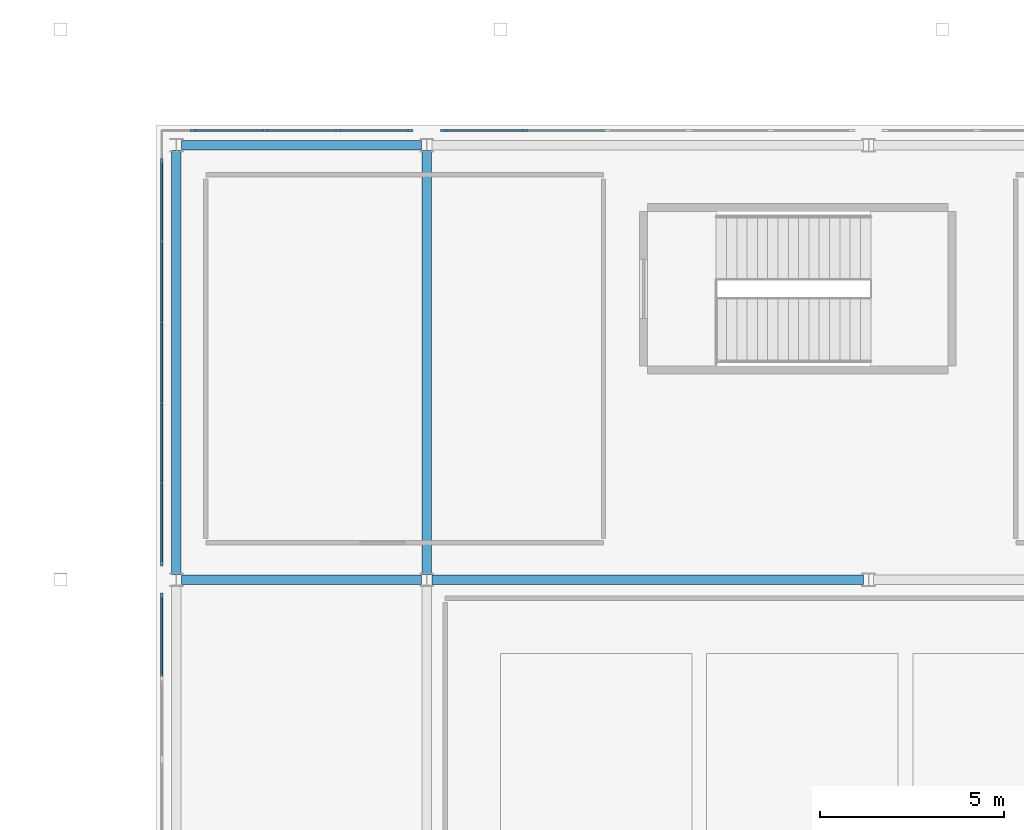
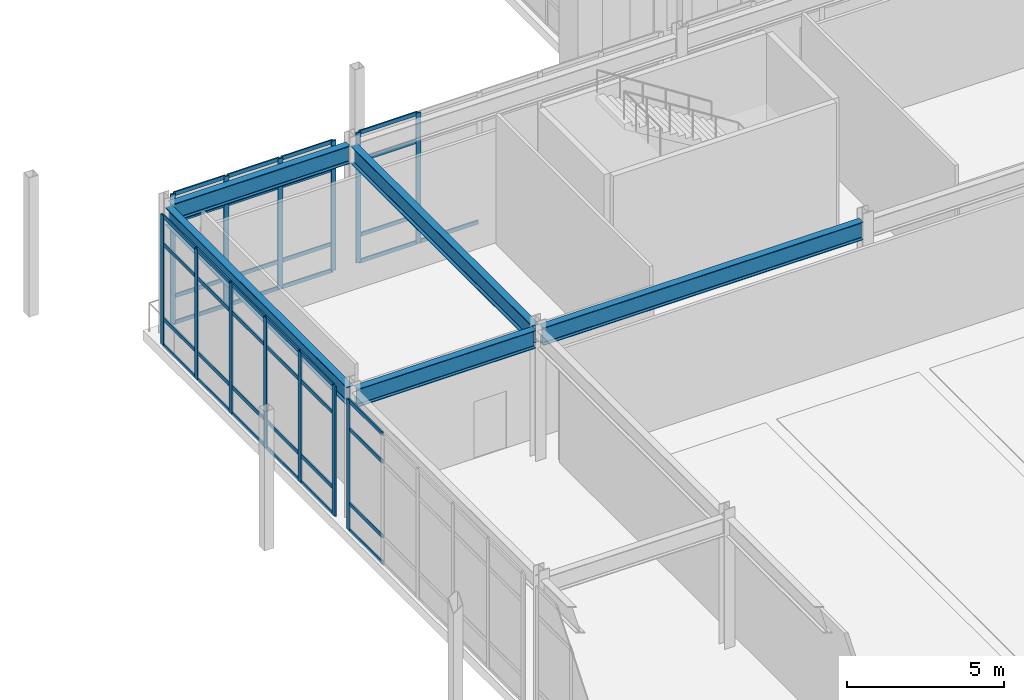
# One storey, part 74 of 159: 54 members, 5 beams, 4 elements without a shape of their own.
"""IFC4 building model written with IfcOpenShell, lengths in metres."""

from ifc_helpers import new_model, si_unit, derived_unit, direction, frame, origin, origin_2d, place, context, subcontext, project, spatial, rectangle, i_section, extrude, material, layer, layer_set, material_profile, profile_set, type_object, element, aggregate, save


model = new_model("IFC4")

# Units and contexts
model_context = context("Model", 3, precision=1e-05, world=origin(), true_north=direction((0.0, 1.0)))
body_context = subcontext(model_context, "Body", "Model", "MODEL_VIEW")
ifc_project = project(units=[si_unit("LENGTHUNIT", "METRE"), si_unit("AREAUNIT", "SQUARE_METRE"), si_unit("VOLUMEUNIT", "CUBIC_METRE"), si_unit("PLANEANGLEUNIT", "RADIAN"), si_unit("MASSUNIT", "GRAM", prefix="KILO"), derived_unit("THERMALTRANSMITTANCEUNIT", [(si_unit("MASSUNIT", "GRAM", prefix="KILO"), 1), (si_unit("TIMEUNIT", "SECOND"), -3), (si_unit("THERMODYNAMICTEMPERATUREUNIT", "KELVIN"), -1)])], contexts=[model_context])

# Site, building, storey
site_placement = place(None, origin())
site = spatial("IfcSite", under=ifc_project, at=site_placement, CompositionType="ELEMENT")
building_placement = place(site_placement, origin())
building = spatial("IfcBuilding", under=site, at=building_placement, Name="Valcora Ridge Arena", CompositionType="ELEMENT")
storey_placement = place(building_placement, frame((0.0, 0.0, 6.0)))
storey = spatial("IfcBuildingStorey", under=building, at=storey_placement, Name="L01", CompositionType="ELEMENT", Elevation=6.0)

# Beams
ifc_material_1 = material(Name="Steel ASTM A572 Grade 50", Category="steel")
ifc_material_profile_1 = material_profile(ifc_material_1, i_section(OverallWidth=0.256103515625, OverallDepth=0.693115234375, WebThickness=0.014404296875, FlangeThickness=0.023681640625, FilletRadius=0.02001953125, at=origin_2d()), Name="W27X114")
ifc_profile_set_1 = profile_set([ifc_material_profile_1], Name="Steel ASTM A572 Grade 50")
beam_type_1 = type_object("IfcBeamType", Name="TY-BEAM-G-W27X114-X", PredefinedType="BEAM", material=ifc_profile_set_1)
beam_1_placement = place(storey_placement, frame((137.340087890625, 66.0, 4.693603515625), z_axis=(1.0, 0.0, 0.0), x_axis=(0.0, 1.0, 0.0)))
element("IfcBeam", 1, at=beam_1_placement, inside=storey, type_object=beam_type_1, Name="G-W27X114-X BEM-G-W27X114-X-0033", PredefinedType="BEAM", context=body_context, shape_type="SweptSolid", body=[
    extrude(i_section(OverallWidth=0.256103515625, OverallDepth=0.693115234375, WebThickness=0.014404296875, FlangeThickness=0.023681640625, FilletRadius=0.02001953125, at=origin_2d()), origin(), (0.0, 0.0, 1.0), 6.52001953125),
])
beam_2_placement = place(storey_placement, frame((144.139892578125, 66.0, 4.693603515625), z_axis=(1.0, 0.0, 0.0), x_axis=(0.0, 1.0, 0.0)))
element("IfcBeam", 2, at=beam_2_placement, inside=storey, type_object=beam_type_1, Name="G-W27X114-X BEM-G-W27X114-X-0034", PredefinedType="BEAM", context=body_context, shape_type="SweptSolid", body=[
    extrude(i_section(OverallWidth=0.256103515625, OverallDepth=0.693115234375, WebThickness=0.014404296875, FlangeThickness=0.023681640625, FilletRadius=0.02001953125, at=origin_2d()), origin(), (0.0, 0.0, 1.0), 11.72021484375),
])
ifc_material_profile_2 = material_profile(ifc_material_1, i_section(OverallWidth=0.256103515625, OverallDepth=0.693115234375, WebThickness=0.014404296875, FlangeThickness=0.023681640625, FilletRadius=0.02001953125, at=origin_2d()), Name="W27X114")
ifc_profile_set_2 = profile_set([ifc_material_profile_2], Name="Steel ASTM A572 Grade 50")
beam_type_2 = type_object("IfcBeamType", Name="TY-BEAM-G-W27X114-Y", PredefinedType="BEAM", material=ifc_profile_set_2)
for number, where, z_axis, x_axis, name in (
    (3, (137.199951171875, 66.139892578125, 4.693603515625), (0.0, 1.0, 0.0), (-1.0, 0.0, 0.0), "G-W27X114-Y BEM-G-W27X114-Y-0039"),
    (4, (144.0, 66.139892578125, 4.693603515625), (0.0, 1.0, 0.0), (-1.0, 0.0, 0.0), "G-W27X114-Y BEM-G-W27X114-Y-0045"),
):
    element("IfcBeam", number, at=place(storey_placement, frame(where, z_axis=z_axis, x_axis=x_axis)), inside=storey, type_object=beam_type_2, Name=name, PredefinedType="BEAM", context=body_context, shape_type="SweptSolid", body=[
        extrude(i_section(OverallWidth=0.256103515625, OverallDepth=0.693115234375, WebThickness=0.014404296875, FlangeThickness=0.023681640625, FilletRadius=0.02001953125, at=origin_2d()), origin(), (0.0, 0.0, 1.0), 11.52001953125),
    ])
ifc_material_profile_3 = material_profile(ifc_material_1, i_section(OverallWidth=0.256103515625, OverallDepth=0.693115234375, WebThickness=0.014404296875, FlangeThickness=0.023681640625, FilletRadius=0.02001953125, at=origin_2d()), Name="W27X114")
ifc_profile_set_3 = profile_set([ifc_material_profile_3], Name="Steel ASTM A572 Grade 50")
beam_type_3 = type_object("IfcBeamType", Name="TY-BEAM-SP-W27X114", PredefinedType="SPANDREL", material=ifc_profile_set_3)
beam_3_placement = place(storey_placement, frame((137.340087890625, 77.800048828125, 4.693603515625), z_axis=(1.0, 0.0, 0.0), x_axis=(0.0, 1.0, 0.0)))
element("IfcBeam", 5, at=beam_3_placement, inside=storey, type_object=beam_type_3, Name="SP-W27X114 BEM-SP-W27X114-0016", PredefinedType="SPANDREL", context=body_context, shape_type="SweptSolid", body=[
    extrude(i_section(OverallWidth=0.256103515625, OverallDepth=0.693115234375, WebThickness=0.014404296875, FlangeThickness=0.023681640625, FilletRadius=0.02001953125, at=origin_2d()), origin(), (0.0, 0.0, 1.0), 6.52001953125),
])

# Curtain wall, member
ifc_material_2 = material(Name="Anodised dark bronze architectural aluminium 6063-T6", Category="aluminium")
ifc_layer_1 = layer(ifc_material_2, 0.179931640625, Name="Anodised dark bronze architectural aluminium 6063-T6")
ifc_layer_set_1 = layer_set([ifc_layer_1], Name="Anodised dark bronze architectural aluminium 6063-T6")
curtain_wall_type_1 = type_object("IfcCurtainWallType", Name="TY-CURTAINWALL-CW-V2-GLAZ-111X50", PredefinedType="NOTDEFINED", material=ifc_layer_set_1)
curtain_wall_1_placement = place(storey_placement, origin())
curtain_wall_1 = element("IfcCurtainWall", 6, at=curtain_wall_1_placement, inside=storey, type_object=curtain_wall_type_1, Name="CW-V2-GLAZ-111X50 CW-0042", PredefinedType="NOTDEFINED")
ifc_material_profile_4 = material_profile(ifc_material_2, rectangle(XDim=0.06005859375, YDim=0.179931640625, at=origin_2d()), Name="ALU MULLION 60x180")
ifc_profile_set_4 = profile_set([ifc_material_profile_4], Name="Anodised dark bronze architectural aluminium 6063-T6")
member_type_1 = type_object("IfcMemberType", Name="TY-MEM-CWM-60x180", PredefinedType="MULLION", material=ifc_profile_set_4)
member_1_placement = place(storey_placement, frame((136.800048828125, 65.54345703125, 0.0), z_axis=(0.0, 0.0, 1.0), x_axis=(-1.0, 0.0, 0.0)))
member_1 = element("IfcMember", 7, at=member_1_placement, type_object=member_type_1, Name="CW-0042/CWM-60x180/M05", PredefinedType="MULLION", context=body_context, shape_type="SweptSolid", body=[
    extrude(rectangle(XDim=0.06005859375, YDim=0.179931640625, at=origin_2d()), origin(), (0.0, 0.0, 1.0), 5.0400390625),
])

# Curtain wall, members
ifc_layer_2 = layer(ifc_material_2, 0.179931640625, Name="Anodised dark bronze architectural aluminium 6063-T6")
ifc_layer_set_2 = layer_set([ifc_layer_2], Name="Anodised dark bronze architectural aluminium 6063-T6")
curtain_wall_type_2 = type_object("IfcCurtainWallType", Name="TY-CURTAINWALL-CW-V2-GLAZ-109X50", PredefinedType="NOTDEFINED", material=ifc_layer_set_2)
curtain_wall_2_placement = place(storey_placement, origin())
curtain_wall_2 = element("IfcCurtainWall", 8, at=curtain_wall_2_placement, inside=storey, type_object=curtain_wall_type_2, Name="CW-V2-GLAZ-109X50 CW-0043", PredefinedType="NOTDEFINED")
member_2_placement = place(storey_placement, frame((136.800048828125, 66.45654296875, 0.0), z_axis=(0.0, 0.0, 1.0), x_axis=(-1.0, 0.0, 0.0)))
member_2 = element("IfcMember", 9, at=member_2_placement, type_object=member_type_1, Name="CW-0043/CWM-60x180/M00", PredefinedType="MULLION", context=body_context, shape_type="SweptSolid", body=[
    extrude(rectangle(XDim=0.06005859375, YDim=0.179931640625, at=origin_2d()), origin(), (0.0, 0.0, 1.0), 5.0400390625),
])
member_3_placement = place(storey_placement, frame((136.800048828125, 68.615966796875, 0.0), z_axis=(0.0, 0.0, 1.0), x_axis=(-1.0, 0.0, 0.0)))
member_3 = element("IfcMember", 10, at=member_3_placement, type_object=member_type_1, Name="CW-0043/CWM-60x180/M01", PredefinedType="MULLION", context=body_context, shape_type="SweptSolid", body=[
    extrude(rectangle(XDim=0.06005859375, YDim=0.179931640625, at=origin_2d()), origin(), (0.0, 0.0, 1.0), 5.0400390625),
])
member_4_placement = place(storey_placement, frame((136.800048828125, 70.805419921875, 0.0), z_axis=(0.0, 0.0, 1.0), x_axis=(-1.0, 0.0, 0.0)))
member_4 = element("IfcMember", 11, at=member_4_placement, type_object=member_type_1, Name="CW-0043/CWM-60x180/M02", PredefinedType="MULLION", context=body_context, shape_type="SweptSolid", body=[
    extrude(rectangle(XDim=0.06005859375, YDim=0.179931640625, at=origin_2d()), origin(), (0.0, 0.0, 1.0), 5.0400390625),
])
member_5_placement = place(storey_placement, frame((136.800048828125, 72.99462890625, 0.0), z_axis=(0.0, 0.0, 1.0), x_axis=(-1.0, 0.0, 0.0)))
member_5 = element("IfcMember", 12, at=member_5_placement, type_object=member_type_1, Name="CW-0043/CWM-60x180/M03", PredefinedType="MULLION", context=body_context, shape_type="SweptSolid", body=[
    extrude(rectangle(XDim=0.06005859375, YDim=0.179931640625, at=origin_2d()), origin(), (0.0, 0.0, 1.0), 5.0400390625),
])
member_6_placement = place(storey_placement, frame((136.800048828125, 75.18408203125, 0.0), z_axis=(0.0, 0.0, 1.0), x_axis=(-1.0, 0.0, 0.0)))
member_6 = element("IfcMember", 13, at=member_6_placement, type_object=member_type_1, Name="CW-0043/CWM-60x180/M04", PredefinedType="MULLION", context=body_context, shape_type="SweptSolid", body=[
    extrude(rectangle(XDim=0.06005859375, YDim=0.179931640625, at=origin_2d()), origin(), (0.0, 0.0, 1.0), 5.0400390625),
])
member_7_placement = place(storey_placement, frame((136.800048828125, 77.343505859375, 0.0), z_axis=(0.0, 0.0, 1.0), x_axis=(-1.0, 0.0, 0.0)))
member_7 = element("IfcMember", 14, at=member_7_placement, type_object=member_type_1, Name="CW-0043/CWM-60x180/M05", PredefinedType="MULLION", context=body_context, shape_type="SweptSolid", body=[
    extrude(rectangle(XDim=0.06005859375, YDim=0.179931640625, at=origin_2d()), origin(), (0.0, 0.0, 1.0), 5.0400390625),
])

ifc_layer_3 = layer(ifc_material_2, 0.179931640625, Name="Anodised dark bronze architectural aluminium 6063-T6")
ifc_layer_set_3 = layer_set([ifc_layer_3], Name="Anodised dark bronze architectural aluminium 6063-T6")
curtain_wall_type_3 = type_object("IfcCurtainWallType", Name="TY-CURTAINWALL-CW-V2-GLAZ-059X50", PredefinedType="NOTDEFINED", material=ifc_layer_set_3)
curtain_wall_3_placement = place(storey_placement, origin())
curtain_wall_3 = element("IfcCurtainWall", 15, at=curtain_wall_3_placement, inside=storey, type_object=curtain_wall_type_3, Name="CW-V2-GLAZ-059X50 CW-0057", PredefinedType="NOTDEFINED")
member_8_placement = place(storey_placement, frame((137.656982421875, 78.199951171875, 0.0), z_axis=(0.0, 0.0, 1.0), x_axis=(0.0, 1.0, 0.0)))
member_8 = element("IfcMember", 16, at=member_8_placement, type_object=member_type_1, Name="CW-0057/CWM-60x180/M00", PredefinedType="MULLION", context=body_context, shape_type="SweptSolid", body=[
    extrude(rectangle(XDim=0.06005859375, YDim=0.179931640625, at=origin_2d()), origin(), (0.0, 0.0, 1.0), 5.0400390625),
])
member_9_placement = place(storey_placement, frame((139.60888671875, 78.199951171875, 0.0), z_axis=(0.0, 0.0, 1.0), x_axis=(0.0, 1.0, 0.0)))
member_9 = element("IfcMember", 17, at=member_9_placement, type_object=member_type_1, Name="CW-0057/CWM-60x180/M01", PredefinedType="MULLION", context=body_context, shape_type="SweptSolid", body=[
    extrude(rectangle(XDim=0.06005859375, YDim=0.179931640625, at=origin_2d()), origin(), (0.0, 0.0, 1.0), 5.0400390625),
])
member_10_placement = place(storey_placement, frame((141.591064453125, 78.199951171875, 0.0), z_axis=(0.0, 0.0, 1.0), x_axis=(0.0, 1.0, 0.0)))
member_10 = element("IfcMember", 18, at=member_10_placement, type_object=member_type_1, Name="CW-0057/CWM-60x180/M02", PredefinedType="MULLION", context=body_context, shape_type="SweptSolid", body=[
    extrude(rectangle(XDim=0.06005859375, YDim=0.179931640625, at=origin_2d()), origin(), (0.0, 0.0, 1.0), 5.0400390625),
])
member_11_placement = place(storey_placement, frame((143.54296875, 78.199951171875, 0.0), z_axis=(0.0, 0.0, 1.0), x_axis=(0.0, 1.0, 0.0)))
member_11 = element("IfcMember", 19, at=member_11_placement, type_object=member_type_1, Name="CW-0057/CWM-60x180/M03", PredefinedType="MULLION", context=body_context, shape_type="SweptSolid", body=[
    extrude(rectangle(XDim=0.06005859375, YDim=0.179931640625, at=origin_2d()), origin(), (0.0, 0.0, 1.0), 5.0400390625),
])

curtain_wall_4_placement = place(storey_placement, origin())
curtain_wall_4 = element("IfcCurtainWall", 20, at=curtain_wall_4_placement, inside=storey, type_object=curtain_wall_type_1, Name="CW-V2-GLAZ-111X50 CW-0058", PredefinedType="NOTDEFINED")
member_12_placement = place(storey_placement, frame((144.45703125, 78.199951171875, 0.0), z_axis=(0.0, 0.0, 1.0), x_axis=(0.0, 1.0, 0.0)))
member_12 = element("IfcMember", 21, at=member_12_placement, type_object=member_type_1, Name="CW-0058/CWM-60x180/M00", PredefinedType="MULLION", context=body_context, shape_type="SweptSolid", body=[
    extrude(rectangle(XDim=0.06005859375, YDim=0.179931640625, at=origin_2d()), origin(), (0.0, 0.0, 1.0), 5.0400390625),
])
member_13_placement = place(storey_placement, frame((146.65625, 78.199951171875, 0.0), z_axis=(0.0, 0.0, 1.0), x_axis=(0.0, 1.0, 0.0)))
member_13 = element("IfcMember", 22, at=member_13_placement, type_object=member_type_1, Name="CW-0058/CWM-60x180/M01", PredefinedType="MULLION", context=body_context, shape_type="SweptSolid", body=[
    extrude(rectangle(XDim=0.06005859375, YDim=0.179931640625, at=origin_2d()), origin(), (0.0, 0.0, 1.0), 5.0400390625),
])

# Member
ifc_material_profile_5 = material_profile(ifc_material_2, rectangle(XDim=0.050048828125, YDim=0.14990234375, at=origin_2d()), Name="ALU TRANSOM 50x150")
ifc_profile_set_5 = profile_set([ifc_material_profile_5], Name="Anodised dark bronze architectural aluminium 6063-T6")
member_type_2 = type_object("IfcMemberType", Name="TY-MEM-CWT-50x150", PredefinedType="USERDEFINED", material=ifc_profile_set_5)
member_14_placement = place(storey_placement, frame((136.800048828125, 63.37451171875, 0.02490234375), z_axis=(0.0, 1.0, 0.0), x_axis=(-1.0, 0.0, 0.0)))
member_14 = element("IfcMember", 23, at=member_14_placement, type_object=member_type_2, Name="CW-0042/CWT-50x150/T04-00", ObjectType="TRANSOM", PredefinedType="USERDEFINED", context=body_context, shape_type="SweptSolid", body=[
    extrude(rectangle(XDim=0.050048828125, YDim=0.14990234375, at=origin_2d()), origin(), (0.0, 0.0, 1.0), 2.138916015625),
])

member_15_placement = place(storey_placement, frame((136.800048828125, 63.37451171875, 1.050048828125), z_axis=(0.0, 1.0, 0.0), x_axis=(-1.0, 0.0, 0.0)))
member_15 = element("IfcMember", 24, at=member_15_placement, type_object=member_type_2, Name="CW-0042/CWT-50x150/T04-01", ObjectType="TRANSOM", PredefinedType="USERDEFINED", context=body_context, shape_type="SweptSolid", body=[
    extrude(rectangle(XDim=0.050048828125, YDim=0.14990234375, at=origin_2d()), origin(), (0.0, 0.0, 1.0), 2.138916015625),
])

member_16_placement = place(storey_placement, frame((136.800048828125, 63.37451171875, 3.93994140625), z_axis=(0.0, 1.0, 0.0), x_axis=(-1.0, 0.0, 0.0)))
member_16 = element("IfcMember", 25, at=member_16_placement, type_object=member_type_2, Name="CW-0042/CWT-50x150/T04-02", ObjectType="TRANSOM", PredefinedType="USERDEFINED", context=body_context, shape_type="SweptSolid", body=[
    extrude(rectangle(XDim=0.050048828125, YDim=0.14990234375, at=origin_2d()), origin(), (0.0, 0.0, 1.0), 2.138916015625),
])

member_17_placement = place(storey_placement, frame((136.800048828125, 63.37451171875, 5.014892578125), z_axis=(0.0, 1.0, 0.0), x_axis=(-1.0, 0.0, 0.0)))
member_17 = element("IfcMember", 26, at=member_17_placement, type_object=member_type_2, Name="CW-0042/CWT-50x150/T04-03", ObjectType="TRANSOM", PredefinedType="USERDEFINED", context=body_context, shape_type="SweptSolid", body=[
    extrude(rectangle(XDim=0.050048828125, YDim=0.14990234375, at=origin_2d()), origin(), (0.0, 0.0, 1.0), 2.138916015625),
])

aggregate(curtain_wall_1, [member_1, member_14, member_15, member_16, member_17])

member_18_placement = place(storey_placement, frame((136.800048828125, 66.486572265625, 0.02490234375), z_axis=(0.0, 1.0, 0.0), x_axis=(-1.0, 0.0, 0.0)))
member_18 = element("IfcMember", 27, at=member_18_placement, type_object=member_type_2, Name="CW-0043/CWT-50x150/T00-00", ObjectType="TRANSOM", PredefinedType="USERDEFINED", context=body_context, shape_type="SweptSolid", body=[
    extrude(rectangle(XDim=0.050048828125, YDim=0.14990234375, at=origin_2d()), origin(), (0.0, 0.0, 1.0), 2.098876953125),
])

member_19_placement = place(storey_placement, frame((136.800048828125, 66.486572265625, 1.050048828125), z_axis=(0.0, 1.0, 0.0), x_axis=(-1.0, 0.0, 0.0)))
member_19 = element("IfcMember", 28, at=member_19_placement, type_object=member_type_2, Name="CW-0043/CWT-50x150/T00-01", ObjectType="TRANSOM", PredefinedType="USERDEFINED", context=body_context, shape_type="SweptSolid", body=[
    extrude(rectangle(XDim=0.050048828125, YDim=0.14990234375, at=origin_2d()), origin(), (0.0, 0.0, 1.0), 2.098876953125),
])

member_20_placement = place(storey_placement, frame((136.800048828125, 66.486572265625, 3.93994140625), z_axis=(0.0, 1.0, 0.0), x_axis=(-1.0, 0.0, 0.0)))
member_20 = element("IfcMember", 29, at=member_20_placement, type_object=member_type_2, Name="CW-0043/CWT-50x150/T00-02", ObjectType="TRANSOM", PredefinedType="USERDEFINED", context=body_context, shape_type="SweptSolid", body=[
    extrude(rectangle(XDim=0.050048828125, YDim=0.14990234375, at=origin_2d()), origin(), (0.0, 0.0, 1.0), 2.098876953125),
])

member_21_placement = place(storey_placement, frame((136.800048828125, 66.486572265625, 5.014892578125), z_axis=(0.0, 1.0, 0.0), x_axis=(-1.0, 0.0, 0.0)))
member_21 = element("IfcMember", 30, at=member_21_placement, type_object=member_type_2, Name="CW-0043/CWT-50x150/T00-03", ObjectType="TRANSOM", PredefinedType="USERDEFINED", context=body_context, shape_type="SweptSolid", body=[
    extrude(rectangle(XDim=0.050048828125, YDim=0.14990234375, at=origin_2d()), origin(), (0.0, 0.0, 1.0), 2.098876953125),
])

member_22_placement = place(storey_placement, frame((136.800048828125, 68.6455078125, 0.02490234375), z_axis=(0.0, 1.0, 0.0), x_axis=(-1.0, 0.0, 0.0)))
member_22 = element("IfcMember", 31, at=member_22_placement, type_object=member_type_2, Name="CW-0043/CWT-50x150/T01-00", ObjectType="TRANSOM", PredefinedType="USERDEFINED", context=body_context, shape_type="SweptSolid", body=[
    extrude(rectangle(XDim=0.050048828125, YDim=0.14990234375, at=origin_2d()), origin(), (0.0, 0.0, 1.0), 2.1298828125),
])

member_23_placement = place(storey_placement, frame((136.800048828125, 68.6455078125, 1.050048828125), z_axis=(0.0, 1.0, 0.0), x_axis=(-1.0, 0.0, 0.0)))
member_23 = element("IfcMember", 32, at=member_23_placement, type_object=member_type_2, Name="CW-0043/CWT-50x150/T01-01", ObjectType="TRANSOM", PredefinedType="USERDEFINED", context=body_context, shape_type="SweptSolid", body=[
    extrude(rectangle(XDim=0.050048828125, YDim=0.14990234375, at=origin_2d()), origin(), (0.0, 0.0, 1.0), 2.1298828125),
])

member_24_placement = place(storey_placement, frame((136.800048828125, 68.6455078125, 3.93994140625), z_axis=(0.0, 1.0, 0.0), x_axis=(-1.0, 0.0, 0.0)))
member_24 = element("IfcMember", 33, at=member_24_placement, type_object=member_type_2, Name="CW-0043/CWT-50x150/T01-02", ObjectType="TRANSOM", PredefinedType="USERDEFINED", context=body_context, shape_type="SweptSolid", body=[
    extrude(rectangle(XDim=0.050048828125, YDim=0.14990234375, at=origin_2d()), origin(), (0.0, 0.0, 1.0), 2.1298828125),
])

member_25_placement = place(storey_placement, frame((136.800048828125, 68.6455078125, 5.014892578125), z_axis=(0.0, 1.0, 0.0), x_axis=(-1.0, 0.0, 0.0)))
member_25 = element("IfcMember", 34, at=member_25_placement, type_object=member_type_2, Name="CW-0043/CWT-50x150/T01-03", ObjectType="TRANSOM", PredefinedType="USERDEFINED", context=body_context, shape_type="SweptSolid", body=[
    extrude(rectangle(XDim=0.050048828125, YDim=0.14990234375, at=origin_2d()), origin(), (0.0, 0.0, 1.0), 2.1298828125),
])

member_26_placement = place(storey_placement, frame((136.800048828125, 70.83544921875, 0.02490234375), z_axis=(0.0, 1.0, 0.0), x_axis=(-1.0, 0.0, 0.0)))
member_26 = element("IfcMember", 35, at=member_26_placement, type_object=member_type_2, Name="CW-0043/CWT-50x150/T02-00", ObjectType="TRANSOM", PredefinedType="USERDEFINED", context=body_context, shape_type="SweptSolid", body=[
    extrude(rectangle(XDim=0.050048828125, YDim=0.14990234375, at=origin_2d()), origin(), (0.0, 0.0, 1.0), 2.129150390625),
])

member_27_placement = place(storey_placement, frame((136.800048828125, 70.83544921875, 1.050048828125), z_axis=(0.0, 1.0, 0.0), x_axis=(-1.0, 0.0, 0.0)))
member_27 = element("IfcMember", 36, at=member_27_placement, type_object=member_type_2, Name="CW-0043/CWT-50x150/T02-01", ObjectType="TRANSOM", PredefinedType="USERDEFINED", context=body_context, shape_type="SweptSolid", body=[
    extrude(rectangle(XDim=0.050048828125, YDim=0.14990234375, at=origin_2d()), origin(), (0.0, 0.0, 1.0), 2.129150390625),
])

member_28_placement = place(storey_placement, frame((136.800048828125, 70.83544921875, 3.93994140625), z_axis=(0.0, 1.0, 0.0), x_axis=(-1.0, 0.0, 0.0)))
member_28 = element("IfcMember", 37, at=member_28_placement, type_object=member_type_2, Name="CW-0043/CWT-50x150/T02-02", ObjectType="TRANSOM", PredefinedType="USERDEFINED", context=body_context, shape_type="SweptSolid", body=[
    extrude(rectangle(XDim=0.050048828125, YDim=0.14990234375, at=origin_2d()), origin(), (0.0, 0.0, 1.0), 2.129150390625),
])

member_29_placement = place(storey_placement, frame((136.800048828125, 70.83544921875, 5.014892578125), z_axis=(0.0, 1.0, 0.0), x_axis=(-1.0, 0.0, 0.0)))
member_29 = element("IfcMember", 38, at=member_29_placement, type_object=member_type_2, Name="CW-0043/CWT-50x150/T02-03", ObjectType="TRANSOM", PredefinedType="USERDEFINED", context=body_context, shape_type="SweptSolid", body=[
    extrude(rectangle(XDim=0.050048828125, YDim=0.14990234375, at=origin_2d()), origin(), (0.0, 0.0, 1.0), 2.129150390625),
])

member_30_placement = place(storey_placement, frame((136.800048828125, 73.0244140625, 0.02490234375), z_axis=(0.0, 1.0, 0.0), x_axis=(-1.0, 0.0, 0.0)))
member_30 = element("IfcMember", 39, at=member_30_placement, type_object=member_type_2, Name="CW-0043/CWT-50x150/T03-00", ObjectType="TRANSOM", PredefinedType="USERDEFINED", context=body_context, shape_type="SweptSolid", body=[
    extrude(rectangle(XDim=0.050048828125, YDim=0.14990234375, at=origin_2d()), origin(), (0.0, 0.0, 1.0), 2.130126953125),
])

member_31_placement = place(storey_placement, frame((136.800048828125, 73.0244140625, 1.050048828125), z_axis=(0.0, 1.0, 0.0), x_axis=(-1.0, 0.0, 0.0)))
member_31 = element("IfcMember", 40, at=member_31_placement, type_object=member_type_2, Name="CW-0043/CWT-50x150/T03-01", ObjectType="TRANSOM", PredefinedType="USERDEFINED", context=body_context, shape_type="SweptSolid", body=[
    extrude(rectangle(XDim=0.050048828125, YDim=0.14990234375, at=origin_2d()), origin(), (0.0, 0.0, 1.0), 2.130126953125),
])

member_32_placement = place(storey_placement, frame((136.800048828125, 73.0244140625, 3.93994140625), z_axis=(0.0, 1.0, 0.0), x_axis=(-1.0, 0.0, 0.0)))
member_32 = element("IfcMember", 41, at=member_32_placement, type_object=member_type_2, Name="CW-0043/CWT-50x150/T03-02", ObjectType="TRANSOM", PredefinedType="USERDEFINED", context=body_context, shape_type="SweptSolid", body=[
    extrude(rectangle(XDim=0.050048828125, YDim=0.14990234375, at=origin_2d()), origin(), (0.0, 0.0, 1.0), 2.130126953125),
])

member_33_placement = place(storey_placement, frame((136.800048828125, 73.0244140625, 5.014892578125), z_axis=(0.0, 1.0, 0.0), x_axis=(-1.0, 0.0, 0.0)))
member_33 = element("IfcMember", 42, at=member_33_placement, type_object=member_type_2, Name="CW-0043/CWT-50x150/T03-03", ObjectType="TRANSOM", PredefinedType="USERDEFINED", context=body_context, shape_type="SweptSolid", body=[
    extrude(rectangle(XDim=0.050048828125, YDim=0.14990234375, at=origin_2d()), origin(), (0.0, 0.0, 1.0), 2.130126953125),
])

member_34_placement = place(storey_placement, frame((136.800048828125, 75.214599609375, 0.02490234375), z_axis=(0.0, 1.0, 0.0), x_axis=(-1.0, 0.0, 0.0)))
member_34 = element("IfcMember", 43, at=member_34_placement, type_object=member_type_2, Name="CW-0043/CWT-50x150/T04-00", ObjectType="TRANSOM", PredefinedType="USERDEFINED", context=body_context, shape_type="SweptSolid", body=[
    extrude(rectangle(XDim=0.050048828125, YDim=0.14990234375, at=origin_2d()), origin(), (0.0, 0.0, 1.0), 2.098876953125),
])

member_35_placement = place(storey_placement, frame((136.800048828125, 75.214599609375, 1.050048828125), z_axis=(0.0, 1.0, 0.0), x_axis=(-1.0, 0.0, 0.0)))
member_35 = element("IfcMember", 44, at=member_35_placement, type_object=member_type_2, Name="CW-0043/CWT-50x150/T04-01", ObjectType="TRANSOM", PredefinedType="USERDEFINED", context=body_context, shape_type="SweptSolid", body=[
    extrude(rectangle(XDim=0.050048828125, YDim=0.14990234375, at=origin_2d()), origin(), (0.0, 0.0, 1.0), 2.098876953125),
])

member_36_placement = place(storey_placement, frame((136.800048828125, 75.214599609375, 3.93994140625), z_axis=(0.0, 1.0, 0.0), x_axis=(-1.0, 0.0, 0.0)))
member_36 = element("IfcMember", 45, at=member_36_placement, type_object=member_type_2, Name="CW-0043/CWT-50x150/T04-02", ObjectType="TRANSOM", PredefinedType="USERDEFINED", context=body_context, shape_type="SweptSolid", body=[
    extrude(rectangle(XDim=0.050048828125, YDim=0.14990234375, at=origin_2d()), origin(), (0.0, 0.0, 1.0), 2.098876953125),
])

member_37_placement = place(storey_placement, frame((136.800048828125, 75.214599609375, 5.014892578125), z_axis=(0.0, 1.0, 0.0), x_axis=(-1.0, 0.0, 0.0)))
member_37 = element("IfcMember", 46, at=member_37_placement, type_object=member_type_2, Name="CW-0043/CWT-50x150/T04-03", ObjectType="TRANSOM", PredefinedType="USERDEFINED", context=body_context, shape_type="SweptSolid", body=[
    extrude(rectangle(XDim=0.050048828125, YDim=0.14990234375, at=origin_2d()), origin(), (0.0, 0.0, 1.0), 2.098876953125),
])

aggregate(curtain_wall_2, [member_2, member_3, member_4, member_5, member_6, member_7, member_18, member_19, member_20, member_21, member_22, member_23, member_24, member_25, member_26, member_27, member_28, member_29, member_30, member_31, member_32, member_33, member_34, member_35, member_36, member_37])

member_38_placement = place(storey_placement, frame((137.68701171875, 78.199951171875, 0.02490234375), z_axis=(1.0, 0.0, 0.0), x_axis=(0.0, 1.0, 0.0)))
member_38 = element("IfcMember", 47, at=member_38_placement, type_object=member_type_2, Name="CW-0057/CWT-50x150/T00-00", ObjectType="TRANSOM", PredefinedType="USERDEFINED", context=body_context, shape_type="SweptSolid", body=[
    extrude(rectangle(XDim=0.050048828125, YDim=0.14990234375, at=origin_2d()), origin(), (0.0, 0.0, 1.0), 1.89208984375),
])

member_39_placement = place(storey_placement, frame((137.68701171875, 78.199951171875, 1.050048828125), z_axis=(1.0, 0.0, 0.0), x_axis=(0.0, 1.0, 0.0)))
member_39 = element("IfcMember", 48, at=member_39_placement, type_object=member_type_2, Name="CW-0057/CWT-50x150/T00-01", ObjectType="TRANSOM", PredefinedType="USERDEFINED", context=body_context, shape_type="SweptSolid", body=[
    extrude(rectangle(XDim=0.050048828125, YDim=0.14990234375, at=origin_2d()), origin(), (0.0, 0.0, 1.0), 1.89208984375),
])

member_40_placement = place(storey_placement, frame((137.68701171875, 78.199951171875, 3.93994140625), z_axis=(1.0, 0.0, 0.0), x_axis=(0.0, 1.0, 0.0)))
member_40 = element("IfcMember", 49, at=member_40_placement, type_object=member_type_2, Name="CW-0057/CWT-50x150/T00-02", ObjectType="TRANSOM", PredefinedType="USERDEFINED", context=body_context, shape_type="SweptSolid", body=[
    extrude(rectangle(XDim=0.050048828125, YDim=0.14990234375, at=origin_2d()), origin(), (0.0, 0.0, 1.0), 1.89208984375),
])

member_41_placement = place(storey_placement, frame((137.68701171875, 78.199951171875, 5.014892578125), z_axis=(1.0, 0.0, 0.0), x_axis=(0.0, 1.0, 0.0)))
member_41 = element("IfcMember", 50, at=member_41_placement, type_object=member_type_2, Name="CW-0057/CWT-50x150/T00-03", ObjectType="TRANSOM", PredefinedType="USERDEFINED", context=body_context, shape_type="SweptSolid", body=[
    extrude(rectangle(XDim=0.050048828125, YDim=0.14990234375, at=origin_2d()), origin(), (0.0, 0.0, 1.0), 1.89208984375),
])

member_42_placement = place(storey_placement, frame((139.638916015625, 78.199951171875, 0.02490234375), z_axis=(1.0, 0.0, 0.0), x_axis=(0.0, 1.0, 0.0)))
member_42 = element("IfcMember", 51, at=member_42_placement, type_object=member_type_2, Name="CW-0057/CWT-50x150/T01-00", ObjectType="TRANSOM", PredefinedType="USERDEFINED", context=body_context, shape_type="SweptSolid", body=[
    extrude(rectangle(XDim=0.050048828125, YDim=0.14990234375, at=origin_2d()), origin(), (0.0, 0.0, 1.0), 1.922119140625),
])

member_43_placement = place(storey_placement, frame((139.638916015625, 78.199951171875, 1.050048828125), z_axis=(1.0, 0.0, 0.0), x_axis=(0.0, 1.0, 0.0)))
member_43 = element("IfcMember", 52, at=member_43_placement, type_object=member_type_2, Name="CW-0057/CWT-50x150/T01-01", ObjectType="TRANSOM", PredefinedType="USERDEFINED", context=body_context, shape_type="SweptSolid", body=[
    extrude(rectangle(XDim=0.050048828125, YDim=0.14990234375, at=origin_2d()), origin(), (0.0, 0.0, 1.0), 1.922119140625),
])

member_44_placement = place(storey_placement, frame((139.638916015625, 78.199951171875, 3.93994140625), z_axis=(1.0, 0.0, 0.0), x_axis=(0.0, 1.0, 0.0)))
member_44 = element("IfcMember", 53, at=member_44_placement, type_object=member_type_2, Name="CW-0057/CWT-50x150/T01-02", ObjectType="TRANSOM", PredefinedType="USERDEFINED", context=body_context, shape_type="SweptSolid", body=[
    extrude(rectangle(XDim=0.050048828125, YDim=0.14990234375, at=origin_2d()), origin(), (0.0, 0.0, 1.0), 1.922119140625),
])

member_45_placement = place(storey_placement, frame((139.638916015625, 78.199951171875, 5.014892578125), z_axis=(1.0, 0.0, 0.0), x_axis=(0.0, 1.0, 0.0)))
member_45 = element("IfcMember", 54, at=member_45_placement, type_object=member_type_2, Name="CW-0057/CWT-50x150/T01-03", ObjectType="TRANSOM", PredefinedType="USERDEFINED", context=body_context, shape_type="SweptSolid", body=[
    extrude(rectangle(XDim=0.050048828125, YDim=0.14990234375, at=origin_2d()), origin(), (0.0, 0.0, 1.0), 1.922119140625),
])

member_46_placement = place(storey_placement, frame((141.62109375, 78.199951171875, 0.02490234375), z_axis=(1.0, 0.0, 0.0), x_axis=(0.0, 1.0, 0.0)))
member_46 = element("IfcMember", 55, at=member_46_placement, type_object=member_type_2, Name="CW-0057/CWT-50x150/T02-00", ObjectType="TRANSOM", PredefinedType="USERDEFINED", context=body_context, shape_type="SweptSolid", body=[
    extrude(rectangle(XDim=0.050048828125, YDim=0.14990234375, at=origin_2d()), origin(), (0.0, 0.0, 1.0), 1.891845703125),
])

member_47_placement = place(storey_placement, frame((141.62109375, 78.199951171875, 1.050048828125), z_axis=(1.0, 0.0, 0.0), x_axis=(0.0, 1.0, 0.0)))
member_47 = element("IfcMember", 56, at=member_47_placement, type_object=member_type_2, Name="CW-0057/CWT-50x150/T02-01", ObjectType="TRANSOM", PredefinedType="USERDEFINED", context=body_context, shape_type="SweptSolid", body=[
    extrude(rectangle(XDim=0.050048828125, YDim=0.14990234375, at=origin_2d()), origin(), (0.0, 0.0, 1.0), 1.891845703125),
])

member_48_placement = place(storey_placement, frame((141.62109375, 78.199951171875, 3.93994140625), z_axis=(1.0, 0.0, 0.0), x_axis=(0.0, 1.0, 0.0)))
member_48 = element("IfcMember", 57, at=member_48_placement, type_object=member_type_2, Name="CW-0057/CWT-50x150/T02-02", ObjectType="TRANSOM", PredefinedType="USERDEFINED", context=body_context, shape_type="SweptSolid", body=[
    extrude(rectangle(XDim=0.050048828125, YDim=0.14990234375, at=origin_2d()), origin(), (0.0, 0.0, 1.0), 1.891845703125),
])

member_49_placement = place(storey_placement, frame((141.62109375, 78.199951171875, 5.014892578125), z_axis=(1.0, 0.0, 0.0), x_axis=(0.0, 1.0, 0.0)))
member_49 = element("IfcMember", 58, at=member_49_placement, type_object=member_type_2, Name="CW-0057/CWT-50x150/T02-03", ObjectType="TRANSOM", PredefinedType="USERDEFINED", context=body_context, shape_type="SweptSolid", body=[
    extrude(rectangle(XDim=0.050048828125, YDim=0.14990234375, at=origin_2d()), origin(), (0.0, 0.0, 1.0), 1.891845703125),
])

aggregate(curtain_wall_3, [member_8, member_9, member_10, member_11, member_38, member_39, member_40, member_41, member_42, member_43, member_44, member_45, member_46, member_47, member_48, member_49])

member_50_placement = place(storey_placement, frame((144.487060546875, 78.199951171875, 0.02490234375), z_axis=(1.0, 0.0, 0.0), x_axis=(0.0, 1.0, 0.0)))
member_50 = element("IfcMember", 59, at=member_50_placement, type_object=member_type_2, Name="CW-0058/CWT-50x150/T00-00", ObjectType="TRANSOM", PredefinedType="USERDEFINED", context=body_context, shape_type="SweptSolid", body=[
    extrude(rectangle(XDim=0.050048828125, YDim=0.14990234375, at=origin_2d()), origin(), (0.0, 0.0, 1.0), 2.138916015625),
])

member_51_placement = place(storey_placement, frame((144.487060546875, 78.199951171875, 1.050048828125), z_axis=(1.0, 0.0, 0.0), x_axis=(0.0, 1.0, 0.0)))
member_51 = element("IfcMember", 60, at=member_51_placement, type_object=member_type_2, Name="CW-0058/CWT-50x150/T00-01", ObjectType="TRANSOM", PredefinedType="USERDEFINED", context=body_context, shape_type="SweptSolid", body=[
    extrude(rectangle(XDim=0.050048828125, YDim=0.14990234375, at=origin_2d()), origin(), (0.0, 0.0, 1.0), 2.138916015625),
])

member_52_placement = place(storey_placement, frame((144.487060546875, 78.199951171875, 3.93994140625), z_axis=(1.0, 0.0, 0.0), x_axis=(0.0, 1.0, 0.0)))
member_52 = element("IfcMember", 61, at=member_52_placement, type_object=member_type_2, Name="CW-0058/CWT-50x150/T00-02", ObjectType="TRANSOM", PredefinedType="USERDEFINED", context=body_context, shape_type="SweptSolid", body=[
    extrude(rectangle(XDim=0.050048828125, YDim=0.14990234375, at=origin_2d()), origin(), (0.0, 0.0, 1.0), 2.138916015625),
])

member_53_placement = place(storey_placement, frame((144.487060546875, 78.199951171875, 5.014892578125), z_axis=(1.0, 0.0, 0.0), x_axis=(0.0, 1.0, 0.0)))
member_53 = element("IfcMember", 62, at=member_53_placement, type_object=member_type_2, Name="CW-0058/CWT-50x150/T00-03", ObjectType="TRANSOM", PredefinedType="USERDEFINED", context=body_context, shape_type="SweptSolid", body=[
    extrude(rectangle(XDim=0.050048828125, YDim=0.14990234375, at=origin_2d()), origin(), (0.0, 0.0, 1.0), 2.138916015625),
])

member_54_placement = place(storey_placement, frame((146.68603515625, 78.199951171875, 0.02490234375), z_axis=(1.0, 0.0, 0.0), x_axis=(0.0, 1.0, 0.0)))
member_54 = element("IfcMember", 63, at=member_54_placement, type_object=member_type_2, Name="CW-0058/CWT-50x150/T01-00", ObjectType="TRANSOM", PredefinedType="USERDEFINED", context=body_context, shape_type="SweptSolid", body=[
    extrude(rectangle(XDim=0.050048828125, YDim=0.14990234375, at=origin_2d()), origin(), (0.0, 0.0, 1.0), 2.1689453125),
])

aggregate(curtain_wall_4, [member_12, member_13, member_50, member_51, member_52, member_53, member_54])

save(model, "model.ifc")
